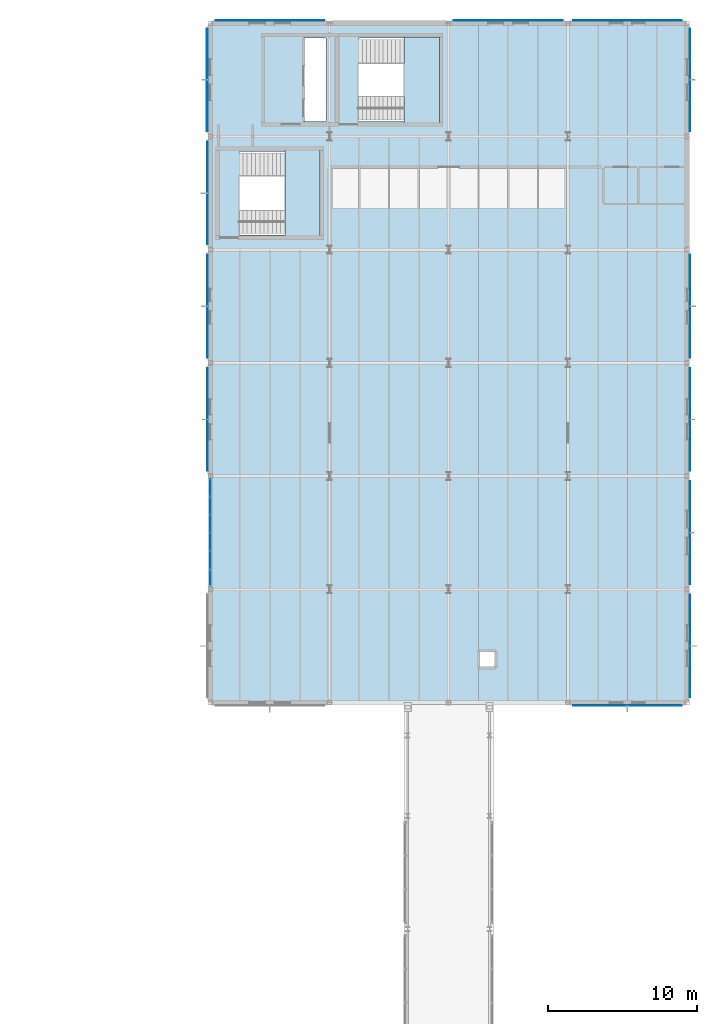
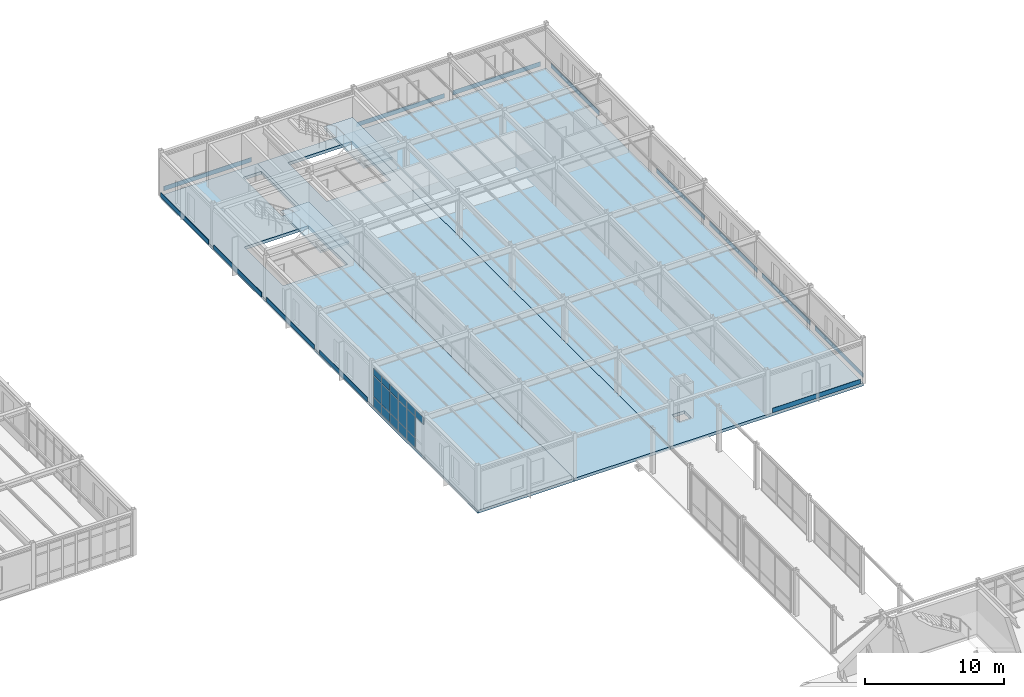
# One storey, part 131 of 165: 29 plates, 5 slabs, 3 elements without a shape of their own.
"""IFC4 building model written with IfcOpenShell, lengths in metres."""

from ifc_helpers import new_model, si_unit, direction, frame, origin, origin_2d, place, context, subcontext, project, spatial, polyline, rectangle, outline, extrude, material, layer, layer_set, type_object, element, aggregate, save


model = new_model("IFC4")

# Units and contexts
model_context = context("Model", 3, precision=1e-05, world=origin(), true_north=direction((0.0, 1.0)))
body_context = subcontext(model_context, "Body", "Model", "MODEL_VIEW")
ifc_project = project(units=[si_unit("LENGTHUNIT", "METRE"), si_unit("AREAUNIT", "SQUARE_METRE"), si_unit("VOLUMEUNIT", "CUBIC_METRE"), si_unit("PLANEANGLEUNIT", "RADIAN"), si_unit("MASSUNIT", "GRAM", prefix="KILO")], contexts=[model_context])

# Site, building, storey
site_placement = place(None, origin())
site = spatial("IfcSite", under=ifc_project, at=site_placement, CompositionType="ELEMENT")
building_placement = place(site_placement, origin())
building = spatial("IfcBuilding", under=site, at=building_placement, Name="Montecoro Central Library", CompositionType="ELEMENT")
storey_placement = place(building_placement, frame((0.0, 0.0, 5.10009765625)))
storey = spatial("IfcBuildingStorey", under=building, at=storey_placement, Name="L01", CompositionType="ELEMENT", Elevation=5.10009765625)

# Curtain wall, plates
ifc_material_1 = material(Name="Bronze-anodised aluminium and low-E glazing", Category="aluminium")
ifc_layer_1 = layer(ifc_material_1, 0.159912109375)
ifc_layer_set_1 = layer_set([ifc_layer_1], Name="Bronze-anodised aluminium and low-E glazing")
curtain_wall_type = type_object("IfcCurtainWallType", Name="CWT-053", PredefinedType="NOTDEFINED", material=ifc_layer_set_1)
curtain_wall_placement = place(storey_placement, origin())
curtain_wall = element("IfcCurtainWall", 1, at=curtain_wall_placement, inside=storey, type_object=curtain_wall_type, Name="V5-L01-CW-W1", PredefinedType="NOTDEFINED")
ifc_material_2 = material(Name="Laminated low-E double glazing", Category="glass")
ifc_layer_2 = layer(ifc_material_2, 0.0380859375)
ifc_layer_set_2 = layer_set([ifc_layer_2], Name="Laminated low-E double glazing")
plate_type_1 = type_object("IfcPlateType", Name="CWP-GLZ-04", PredefinedType="CURTAIN_PANEL", material=ifc_layer_set_2)
plate_1_placement = place(storey_placement, frame((141.0, 87.82421875, 0.059814453125), z_axis=(0.0, 0.0, 1.0), x_axis=(0.0, -1.0, 0.0)))
plate_1 = element("IfcPlate", 2, at=plate_1_placement, type_object=plate_type_1, Name="CW-053 panel 1.1", PredefinedType="CURTAIN_PANEL", context=body_context, shape_type="SweptSolid", body=[
    extrude(rectangle(XDim=1.125732421875, YDim=0.0380859375, at=origin_2d()), origin(), (0.0, 0.0, 1.0), 0.81005859375),
])
plate_2_placement = place(storey_placement, frame((141.0, 87.82421875, 0.9296875), z_axis=(0.0, 0.0, 1.0), x_axis=(0.0, -1.0, 0.0)))
plate_2 = element("IfcPlate", 3, at=plate_2_placement, type_object=plate_type_1, Name="CW-053 panel 1.2", PredefinedType="CURTAIN_PANEL", context=body_context, shape_type="SweptSolid", body=[
    extrude(rectangle(XDim=1.125732421875, YDim=0.0380859375, at=origin_2d()), origin(), (0.0, 0.0, 1.0), 1.820068359375),
])
plate_3_placement = place(storey_placement, frame((141.0, 87.82421875, 2.81005859375), z_axis=(0.0, 0.0, 1.0), x_axis=(0.0, -1.0, 0.0)))
plate_3 = element("IfcPlate", 4, at=plate_3_placement, type_object=plate_type_1, Name="CW-053 panel 1.3", PredefinedType="CURTAIN_PANEL", context=body_context, shape_type="SweptSolid", body=[
    extrude(rectangle(XDim=1.125732421875, YDim=0.0380859375, at=origin_2d()), origin(), (0.0, 0.0, 1.0), 0.610107421875),
])
plate_4_placement = place(storey_placement, frame((141.0, 86.62353515625, 0.059814453125), z_axis=(0.0, 0.0, 1.0), x_axis=(0.0, -1.0, 0.0)))
plate_4 = element("IfcPlate", 5, at=plate_4_placement, type_object=plate_type_1, Name="CW-053 panel 2.1", PredefinedType="CURTAIN_PANEL", context=body_context, shape_type="SweptSolid", body=[
    extrude(rectangle(XDim=1.15576171875, YDim=0.0380859375, at=origin_2d()), origin(), (0.0, 0.0, 1.0), 0.81005859375),
])
plate_5_placement = place(storey_placement, frame((141.0, 86.62353515625, 0.9296875), z_axis=(0.0, 0.0, 1.0), x_axis=(0.0, -1.0, 0.0)))
plate_5 = element("IfcPlate", 6, at=plate_5_placement, type_object=plate_type_1, Name="CW-053 panel 2.2", PredefinedType="CURTAIN_PANEL", context=body_context, shape_type="SweptSolid", body=[
    extrude(rectangle(XDim=1.15576171875, YDim=0.0380859375, at=origin_2d()), origin(), (0.0, 0.0, 1.0), 1.820068359375),
])
plate_6_placement = place(storey_placement, frame((141.0, 86.62353515625, 2.81005859375), z_axis=(0.0, 0.0, 1.0), x_axis=(0.0, -1.0, 0.0)))
plate_6 = element("IfcPlate", 7, at=plate_6_placement, type_object=plate_type_1, Name="CW-053 panel 2.3", PredefinedType="CURTAIN_PANEL", context=body_context, shape_type="SweptSolid", body=[
    extrude(rectangle(XDim=1.15576171875, YDim=0.0380859375, at=origin_2d()), origin(), (0.0, 0.0, 1.0), 0.610107421875),
])
plate_7_placement = place(storey_placement, frame((141.0, 85.40771484375, 0.059814453125), z_axis=(0.0, 0.0, 1.0), x_axis=(0.0, -1.0, 0.0)))
plate_7 = element("IfcPlate", 8, at=plate_7_placement, type_object=plate_type_1, Name="CW-053 panel 3.1", PredefinedType="CURTAIN_PANEL", context=body_context, shape_type="SweptSolid", body=[
    extrude(rectangle(XDim=1.15576171875, YDim=0.0380859375, at=origin_2d()), origin(), (0.0, 0.0, 1.0), 0.81005859375),
])
plate_8_placement = place(storey_placement, frame((141.0, 85.40771484375, 0.9296875), z_axis=(0.0, 0.0, 1.0), x_axis=(0.0, -1.0, 0.0)))
plate_8 = element("IfcPlate", 9, at=plate_8_placement, type_object=plate_type_1, Name="CW-053 panel 3.2", PredefinedType="CURTAIN_PANEL", context=body_context, shape_type="SweptSolid", body=[
    extrude(rectangle(XDim=1.15576171875, YDim=0.0380859375, at=origin_2d()), origin(), (0.0, 0.0, 1.0), 1.820068359375),
])
plate_9_placement = place(storey_placement, frame((141.0, 85.40771484375, 2.81005859375), z_axis=(0.0, 0.0, 1.0), x_axis=(0.0, -1.0, 0.0)))
plate_9 = element("IfcPlate", 10, at=plate_9_placement, type_object=plate_type_1, Name="CW-053 panel 3.3", PredefinedType="CURTAIN_PANEL", context=body_context, shape_type="SweptSolid", body=[
    extrude(rectangle(XDim=1.15576171875, YDim=0.0380859375, at=origin_2d()), origin(), (0.0, 0.0, 1.0), 0.610107421875),
])
plate_10_placement = place(storey_placement, frame((141.0, 84.192138671875, 0.059814453125), z_axis=(0.0, 0.0, 1.0), x_axis=(0.0, -1.0, 0.0)))
plate_10 = element("IfcPlate", 11, at=plate_10_placement, type_object=plate_type_1, Name="CW-053 panel 4.1", PredefinedType="CURTAIN_PANEL", context=body_context, shape_type="SweptSolid", body=[
    extrude(rectangle(XDim=1.15576171875, YDim=0.0380859375, at=origin_2d()), origin(), (0.0, 0.0, 1.0), 0.81005859375),
])
plate_11_placement = place(storey_placement, frame((141.0, 84.192138671875, 0.9296875), z_axis=(0.0, 0.0, 1.0), x_axis=(0.0, -1.0, 0.0)))
plate_11 = element("IfcPlate", 12, at=plate_11_placement, type_object=plate_type_1, Name="CW-053 panel 4.2", PredefinedType="CURTAIN_PANEL", context=body_context, shape_type="SweptSolid", body=[
    extrude(rectangle(XDim=1.15576171875, YDim=0.0380859375, at=origin_2d()), origin(), (0.0, 0.0, 1.0), 1.820068359375),
])
plate_12_placement = place(storey_placement, frame((141.0, 84.192138671875, 2.81005859375), z_axis=(0.0, 0.0, 1.0), x_axis=(0.0, -1.0, 0.0)))
plate_12 = element("IfcPlate", 13, at=plate_12_placement, type_object=plate_type_1, Name="CW-053 panel 4.3", PredefinedType="CURTAIN_PANEL", context=body_context, shape_type="SweptSolid", body=[
    extrude(rectangle(XDim=1.15576171875, YDim=0.0380859375, at=origin_2d()), origin(), (0.0, 0.0, 1.0), 0.610107421875),
])
plate_13_placement = place(storey_placement, frame((141.0, 82.9765625, 0.059814453125), z_axis=(0.0, 0.0, 1.0), x_axis=(0.0, -1.0, 0.0)))
plate_13 = element("IfcPlate", 14, at=plate_13_placement, type_object=plate_type_1, Name="CW-053 panel 5.1", PredefinedType="CURTAIN_PANEL", context=body_context, shape_type="SweptSolid", body=[
    extrude(rectangle(XDim=1.15576171875, YDim=0.0380859375, at=origin_2d()), origin(), (0.0, 0.0, 1.0), 0.81005859375),
])
plate_14_placement = place(storey_placement, frame((141.0, 82.9765625, 0.9296875), z_axis=(0.0, 0.0, 1.0), x_axis=(0.0, -1.0, 0.0)))
plate_14 = element("IfcPlate", 15, at=plate_14_placement, type_object=plate_type_1, Name="CW-053 panel 5.2", PredefinedType="CURTAIN_PANEL", context=body_context, shape_type="SweptSolid", body=[
    extrude(rectangle(XDim=1.15576171875, YDim=0.0380859375, at=origin_2d()), origin(), (0.0, 0.0, 1.0), 1.820068359375),
])
plate_15_placement = place(storey_placement, frame((141.0, 82.9765625, 2.81005859375), z_axis=(0.0, 0.0, 1.0), x_axis=(0.0, -1.0, 0.0)))
plate_15 = element("IfcPlate", 16, at=plate_15_placement, type_object=plate_type_1, Name="CW-053 panel 5.3", PredefinedType="CURTAIN_PANEL", context=body_context, shape_type="SweptSolid", body=[
    extrude(rectangle(XDim=1.15576171875, YDim=0.0380859375, at=origin_2d()), origin(), (0.0, 0.0, 1.0), 0.610107421875),
])
plate_16_placement = place(storey_placement, frame((141.0, 81.77587890625, 2.81005859375), z_axis=(0.0, 0.0, 1.0), x_axis=(0.0, -1.0, 0.0)))
plate_16 = element("IfcPlate", 17, at=plate_16_placement, type_object=plate_type_1, Name="CW-053 panel 6.3", PredefinedType="CURTAIN_PANEL", context=body_context, shape_type="SweptSolid", body=[
    extrude(rectangle(XDim=1.125732421875, YDim=0.0380859375, at=origin_2d()), origin(), (0.0, 0.0, 1.0), 0.610107421875),
])
aggregate(curtain_wall, [plate_1, plate_2, plate_3, plate_4, plate_5, plate_6, plate_7, plate_8, plate_9, plate_10, plate_11, plate_12, plate_13, plate_14, plate_15, plate_16])

# Plates
ifc_material_3 = material(Name="Architectural bronze spandrel plate", Category="aluminium")
ifc_layer_3 = layer(ifc_material_3, 0.02197265625)
ifc_layer_set_3 = layer_set([ifc_layer_3], Name="Architectural bronze spandrel plate")
plate_type_2 = type_object("IfcPlateType", Name="PLT-SPN-01", PredefinedType="SHEET", material=ifc_layer_set_3)
plate_17_placement = place(storey_placement, frame((173.193603515625, 92.39990234375, 0.159912109375), z_axis=(0.0, 0.0, 1.0), x_axis=(0.0, 1.0, 0.0)))
element("IfcPlate", 18, at=plate_17_placement, inside=storey, type_object=plate_type_2, Name="V5-L01-SPN-E2", PredefinedType="SHEET", context=body_context, shape_type="SweptSolid", body=[
    extrude(rectangle(XDim=6.89404296875, YDim=0.02197265625, at=origin_2d()), origin(), (0.0, 0.0, 1.0), 0.39990234375),
])
plate_18_placement = place(storey_placement, frame((161.0, 119.193603515625, 0.159912109375), z_axis=(0.0, 0.0, 1.0), x_axis=(-1.0, 0.0, 0.0)))
element("IfcPlate", 19, at=plate_18_placement, inside=storey, type_object=plate_type_2, Name="V5-L01-SPN-N2", PredefinedType="SHEET", context=body_context, shape_type="SweptSolid", body=[
    extrude(rectangle(XDim=7.2939453125, YDim=0.02197265625, at=origin_2d()), origin(), (0.0, 0.0, 1.0), 0.39990234375),
])
plate_19_placement = place(storey_placement, frame((140.806396484375, 92.39990234375, 0.159912109375), z_axis=(0.0, 0.0, 1.0), x_axis=(0.0, -1.0, 0.0)))
element("IfcPlate", 20, at=plate_19_placement, inside=storey, type_object=plate_type_2, Name="V5-L01-SPN-W2", PredefinedType="SHEET", context=body_context, shape_type="SweptSolid", body=[
    extrude(rectangle(XDim=6.89404296875, YDim=0.02197265625, at=origin_2d()), origin(), (0.0, 0.0, 1.0), 0.39990234375),
])
ifc_layer_4 = layer(ifc_material_3, 0.028076171875)
ifc_layer_set_4 = layer_set([ifc_layer_4], Name="Architectural bronze spandrel plate")
plate_type_3 = type_object("IfcPlateType", Name="PLT-SPN-02", PredefinedType="SHEET", material=ifc_layer_set_4)
plate_20_placement = place(storey_placement, frame((169.0, 73.20361328125, 0.159912109375), z_axis=(0.0, 0.0, 1.0), x_axis=(1.0, 0.0, 0.0)))
element("IfcPlate", 21, at=plate_20_placement, inside=storey, type_object=plate_type_3, Name="V5-L01-SPN-S3", PredefinedType="SHEET", context=body_context, shape_type="SweptSolid", body=[
    extrude(rectangle(XDim=7.2939453125, YDim=0.028076171875, at=origin_2d()), origin(), (0.0, 0.0, 1.0), 0.39990234375),
])
plate_21_placement = place(storey_placement, frame((173.196533203125, 100.0, 0.159912109375), z_axis=(0.0, 0.0, 1.0), x_axis=(0.0, 1.0, 0.0)))
element("IfcPlate", 22, at=plate_21_placement, inside=storey, type_object=plate_type_3, Name="V5-L01-SPN-E3", PredefinedType="SHEET", context=body_context, shape_type="SweptSolid", body=[
    extrude(rectangle(XDim=6.89404296875, YDim=0.028076171875, at=origin_2d()), origin(), (0.0, 0.0, 1.0), 0.39990234375),
])
plate_22_placement = place(storey_placement, frame((169.0, 119.196533203125, 0.159912109375), z_axis=(0.0, 0.0, 1.0), x_axis=(-1.0, 0.0, 0.0)))
element("IfcPlate", 23, at=plate_22_placement, inside=storey, type_object=plate_type_3, Name="V5-L01-SPN-N3", PredefinedType="SHEET", context=body_context, shape_type="SweptSolid", body=[
    extrude(rectangle(XDim=7.2939453125, YDim=0.028076171875, at=origin_2d()), origin(), (0.0, 0.0, 1.0), 0.39990234375),
])
plate_23_placement = place(storey_placement, frame((140.803466796875, 100.0, 0.159912109375), z_axis=(0.0, 0.0, 1.0), x_axis=(0.0, -1.0, 0.0)))
element("IfcPlate", 24, at=plate_23_placement, inside=storey, type_object=plate_type_3, Name="V5-L01-SPN-W3", PredefinedType="SHEET", context=body_context, shape_type="SweptSolid", body=[
    extrude(rectangle(XDim=6.89404296875, YDim=0.028076171875, at=origin_2d()), origin(), (0.0, 0.0, 1.0), 0.39990234375),
])
ifc_layer_5 = layer(ifc_material_3, 0.035888671875)
ifc_layer_set_5 = layer_set([ifc_layer_5], Name="Architectural bronze spandrel plate")
plate_type_4 = type_object("IfcPlateType", Name="PLT-SPN-03", PredefinedType="SHEET", material=ifc_layer_set_5)
plate_24_placement = place(storey_placement, frame((173.200439453125, 77.199951171875, 0.159912109375), z_axis=(0.0, 0.0, 1.0), x_axis=(0.0, 1.0, 0.0)))
element("IfcPlate", 25, at=plate_24_placement, inside=storey, type_object=plate_type_4, Name="V5-L01-SPN-E0", PredefinedType="SHEET", context=body_context, shape_type="SweptSolid", body=[
    extrude(rectangle(XDim=6.89404296875, YDim=0.035888671875, at=origin_2d()), origin(), (0.0, 0.0, 1.0), 0.39990234375),
])
plate_25_placement = place(storey_placement, frame((145.0, 119.200439453125, 0.159912109375), z_axis=(0.0, 0.0, 1.0), x_axis=(-1.0, 0.0, 0.0)))
element("IfcPlate", 26, at=plate_25_placement, inside=storey, type_object=plate_type_4, Name="V5-L01-SPN-N0", PredefinedType="SHEET", context=body_context, shape_type="SweptSolid", body=[
    extrude(rectangle(XDim=7.2939453125, YDim=0.035888671875, at=origin_2d()), origin(), (0.0, 0.0, 1.0), 0.39990234375),
])
plate_26_placement = place(storey_placement, frame((140.799560546875, 107.60009765625, 0.159912109375), z_axis=(0.0, 0.0, 1.0), x_axis=(0.0, -1.0, 0.0)))
element("IfcPlate", 27, at=plate_26_placement, inside=storey, type_object=plate_type_4, Name="V5-L01-SPN-W4", PredefinedType="SHEET", context=body_context, shape_type="SweptSolid", body=[
    extrude(rectangle(XDim=6.89404296875, YDim=0.035888671875, at=origin_2d()), origin(), (0.0, 0.0, 1.0), 0.39990234375),
])
ifc_layer_6 = layer(ifc_material_3, 0.0439453125)
ifc_layer_set_6 = layer_set([ifc_layer_6], Name="Architectural bronze spandrel plate")
plate_type_5 = type_object("IfcPlateType", Name="PLT-SPN-04", PredefinedType="SHEET", material=ifc_layer_set_6)
for number, where, z_axis, x_axis, name in (
    (28, (173.20458984375, 84.800048828125, 0.159912109375), (0.0, 0.0, 1.0), (0.0, 1.0, 0.0), "V5-L01-SPN-E1"),
    (29, (173.20458984375, 115.199951171875, 0.159912109375), (0.0, 0.0, 1.0), (0.0, 1.0, 0.0), "V5-L01-SPN-E5"),
    (30, (140.79541015625, 115.199951171875, 0.159912109375), (0.0, 0.0, 1.0), (0.0, -1.0, 0.0), "V5-L01-SPN-W5"),
):
    element("IfcPlate", number, at=place(storey_placement, frame(where, z_axis=z_axis, x_axis=x_axis)), inside=storey, type_object=plate_type_5, Name=name, PredefinedType="SHEET", context=body_context, shape_type="SweptSolid", body=[
        extrude(rectangle(XDim=6.89404296875, YDim=0.0439453125, at=origin_2d()), origin(), (0.0, 0.0, 1.0), 0.39990234375),
    ])

# Stair, slab
ifc_material_4 = material(Name="Concrete C35/45", Category="concrete")
stair_type_1 = type_object("IfcStairType", Name="STR-RET-160", PredefinedType="HALF_TURN_STAIR", material=ifc_material_4)
stair_1_placement = place(storey_placement, origin())
stair_1 = element("IfcStair", 31, at=stair_1_placement, inside=storey, type_object=stair_type_1, Name="C6-L01-STR", PredefinedType="HALF_TURN_STAIR")
ifc_layer_7 = layer(ifc_material_4, 0.199951171875)
ifc_layer_set_7 = layer_set([ifc_layer_7], Name="Concrete C35/45")
slab_type_1 = type_object("IfcSlabType", Name="SL-LND-200", PredefinedType="LANDING", material=ifc_layer_set_7)
slab_1_placement = place(storey_placement, frame((0.0, 0.0, 1.83984375)))
slab_1 = element("IfcSlab", 32, at=slab_1_placement, type_object=slab_type_1, Name="ST-06 landing 1", PredefinedType="LANDING", context=body_context, shape_type="SweptSolid", body=[
    extrude(outline(polyline([(154.0, 112.320068359375), (156.3798828125, 112.320068359375), (156.3798828125, 118.080078125), (154.0, 118.080078125), (154.0, 112.320068359375)])), origin(), (0.0, 0.0, 1.0), 0.199951171875),
])
aggregate(stair_1, [slab_1])

stair_type_2 = type_object("IfcStairType", Name="STR-RET-155", PredefinedType="HALF_TURN_STAIR", material=ifc_material_4)
stair_2_placement = place(storey_placement, origin())
stair_2 = element("IfcStair", 33, at=stair_2_placement, inside=storey, type_object=stair_type_2, Name="C8-L01-STR", PredefinedType="HALF_TURN_STAIR")
slab_2_placement = place(storey_placement, frame((0.0, 0.0, 1.83984375)))
slab_2 = element("IfcSlab", 34, at=slab_2_placement, type_object=slab_type_1, Name="ST-08 landing 1", PredefinedType="LANDING", context=body_context, shape_type="SweptSolid", body=[
    extrude(outline(polyline([(146.0, 104.719970703125), (148.3798828125, 104.719970703125), (148.3798828125, 110.47998046875), (146.0, 110.47998046875), (146.0, 104.719970703125)])), origin(), (0.0, 0.0, 1.0), 0.199951171875),
])
aggregate(stair_2, [slab_2])

# Slabs
ifc_material_5 = material(Name="Concrete C32/40", Category="concrete")
ifc_layer_8 = layer(ifc_material_5, 0.264892578125)
ifc_layer_set_8 = layer_set([ifc_layer_8], Name="Concrete C32/40")
slab_type_2 = type_object("IfcSlabType", Name="SL-STK-265", PredefinedType="FLOOR", material=ifc_layer_set_8)
slab_3_placement = place(storey_placement, frame((0.0, 0.0, -0.26513671875)))
element("IfcSlab", 35, at=slab_3_placement, inside=storey, type_object=slab_type_2, Name="V5-L01-SL1", PredefinedType="FLOOR", context=body_context, shape_type="SweptSolid", body=[
    extrude(outline(polyline([(141.0, 73.39990234375), (149.0, 73.39990234375), (149.0, 119.0), (141.0, 119.0), (141.0, 73.39990234375)]), holes=[polyline([(147.25, 118.0), (148.780029296875, 118.0), (148.780029296875, 112.39990234375), (147.25, 112.39990234375), (147.25, 118.0)]), polyline([(142.9599609375, 110.39990234375), (148.300048828125, 110.39990234375), (148.300048828125, 104.800048828125), (142.9599609375, 104.800048828125), (142.9599609375, 110.39990234375)])]), origin(), (0.0, 0.0, 1.0), 0.26513671875),
])
slab_4_placement = place(storey_placement, frame((0.0, 0.0, -0.26513671875)))
element("IfcSlab", 36, at=slab_4_placement, inside=storey, type_object=slab_type_2, Name="V5-L01-SL2", PredefinedType="FLOOR", context=body_context, shape_type="SweptSolid", body=[
    extrude(outline(polyline([(149.0, 73.39990234375), (157.0, 73.39990234375), (157.0, 119.0), (149.0, 119.0), (149.0, 73.39990234375)]), holes=[polyline([(150.9599609375, 118.0), (156.300048828125, 118.0), (156.300048828125, 112.39990234375), (150.9599609375, 112.39990234375), (150.9599609375, 118.0)])]), origin(), (0.0, 0.0, 1.0), 0.26513671875),
])
slab_5_placement = place(storey_placement, frame((0.0, 0.0, -0.26513671875)))
element("IfcSlab", 37, at=slab_5_placement, inside=storey, type_object=slab_type_2, Name="V5-L01-SL3", PredefinedType="FLOOR", context=body_context, shape_type="SweptSolid", body=[
    extrude(outline(polyline([(157.0, 73.39990234375), (173.0, 73.39990234375), (173.0, 119.0), (157.0, 119.0), (157.0, 73.39990234375)]), holes=[polyline([(159.10009765625, 76.800048828125), (160.10009765625, 76.800048828125), (160.10009765625, 75.800048828125), (159.10009765625, 75.800048828125), (159.10009765625, 76.800048828125)])]), origin(), (0.0, 0.0, 1.0), 0.26513671875),
])

save(model, "model.ifc")
